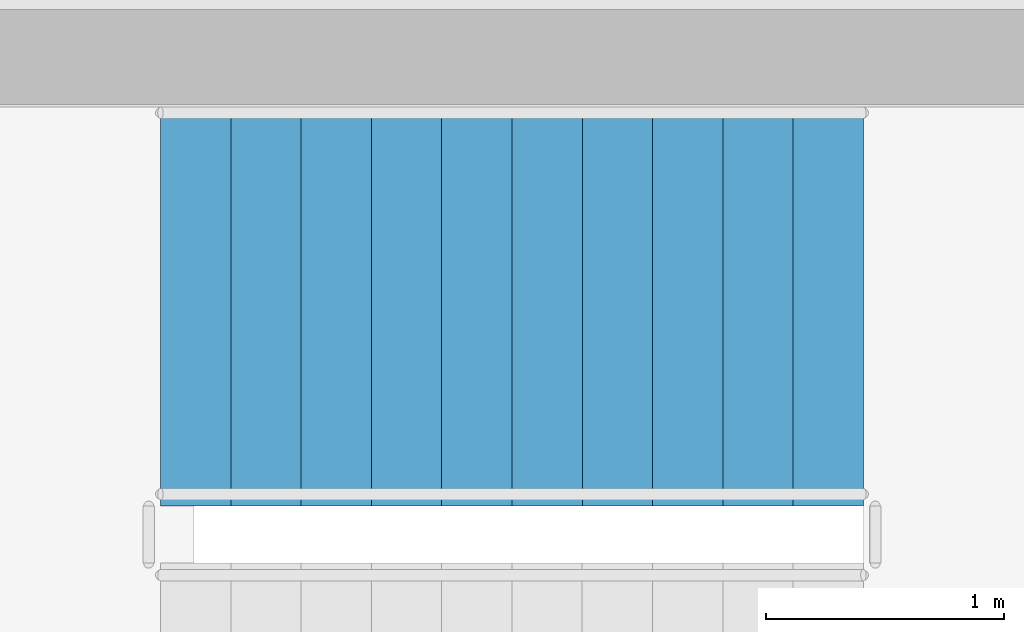
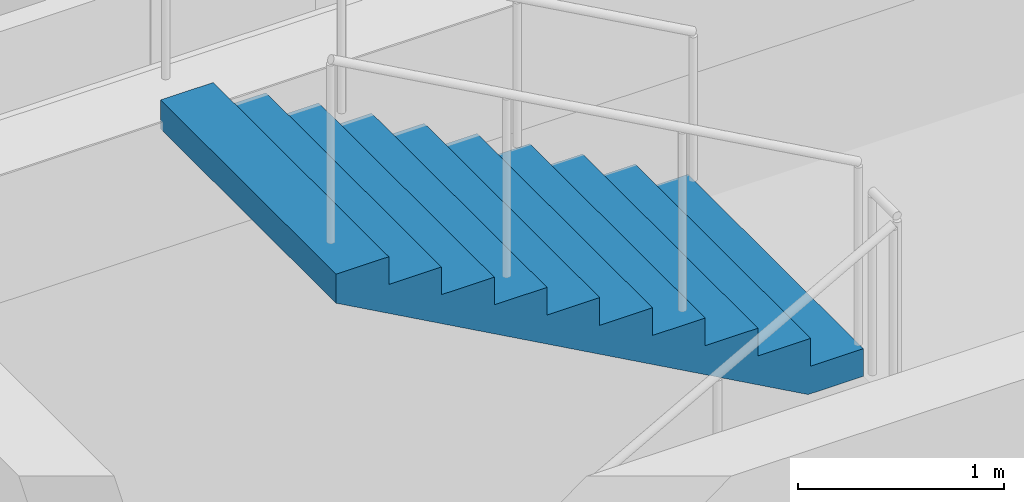
# One storey, part 9 of 11: 1 stair flight, 1 element without a shape of its own.
"""IFC4 building model written with IfcOpenShell, lengths in metres."""

from ifc_helpers import new_model, si_unit, direction, frame, origin, place, context, subcontext, project, spatial, polyline, outline, extrude, material, type_object, element, aggregate, save


model = new_model("IFC4")

# Units and contexts
model_context = context("Model", 3, precision=1e-05, world=origin(), true_north=direction((0.0, 1.0)))
body_context = subcontext(model_context, "Body", "Model", "MODEL_VIEW")
ifc_project = project(units=[si_unit("LENGTHUNIT", "METRE"), si_unit("AREAUNIT", "SQUARE_METRE"), si_unit("VOLUMEUNIT", "CUBIC_METRE"), si_unit("PLANEANGLEUNIT", "RADIAN"), si_unit("MASSUNIT", "GRAM", prefix="KILO")], contexts=[model_context])

# Site, building, storey
site_placement = place(None, origin())
site = spatial("IfcSite", under=ifc_project, at=site_placement, CompositionType="ELEMENT")
building_placement = place(site_placement, origin())
building = spatial("IfcBuilding", under=site, at=building_placement, Name="Zayran Congress Hotel", CompositionType="ELEMENT")
storey_placement = place(building_placement, frame((0.0, 0.0, 26.39990234375)))
storey = spatial("IfcBuildingStorey", under=building, at=storey_placement, Name="L06", CompositionType="ELEMENT", Elevation=26.39990234375)

# Stair, stair flight
ifc_material = material(Name="Concrete C32/40", Category="concrete")
stair_type = type_object("IfcStairType", Name="TP-STR-1700-36", PredefinedType="USERDEFINED", material=ifc_material)
stair_placement = place(storey_placement, origin())
stair = element("IfcStair", 1, at=stair_placement, inside=storey, type_object=stair_type, Name="L06 ST-02", ObjectType="TWO_RETURN_STAIR", PredefinedType="USERDEFINED")
stair_flight_type = type_object("IfcStairFlightType", Name="TP-STF-1700-36", PredefinedType="STRAIGHT", material=ifc_material)
stair_flight_placement = place(storey_placement, frame((54.85009765625, 24.550048828125, 1.800048828125), z_axis=(0.0, 0.0, 1.0), x_axis=(-1.0, 0.0, 0.0)))
stair_flight = element("IfcStairFlight", 2, at=stair_flight_placement, type_object=stair_flight_type, Name="ST-02 flight 2", NumberOfRisers=11, NumberOfTreads=10, PredefinedType="STRAIGHT", RiserHeight=0.1636363636363637, TreadLength=0.295, context=body_context, shape_type="SweptSolid", body=[
    extrude(outline(polyline([(0.0, 0.0), (0.0, 0.16357421875), (0.294921875, 0.16357421875), (0.294921875, 0.327392578125), (0.590087890625, 0.327392578125), (0.590087890625, 0.490966796875), (0.885009765625, 0.490966796875), (0.885009765625, 0.654541015625), (1.179931640625, 0.654541015625), (1.179931640625, 0.818115234375), (1.47509765625, 0.818115234375), (1.47509765625, 0.98193359375), (1.77001953125, 0.98193359375), (1.77001953125, 1.1455078125), (2.06494140625, 1.1455078125), (2.06494140625, 1.30908203125), (2.360107421875, 1.30908203125), (2.360107421875, 1.47265625), (2.655029296875, 1.47265625), (2.655029296875, 1.636474609375), (2.949951171875, 1.636474609375), (2.949951171875, 1.800048828125), (2.949951171875, 1.46484375), (0.30908203125, 0.0), (0.0, 0.0)])), frame((0.0, 0.85009765625, 0.0), z_axis=(0.0, -1.0, 0.0), x_axis=(1.0, 0.0, 0.0)), (0.0, 0.0, 1.0), 1.699951171875),
])
aggregate(stair, [stair_flight])

save(model, "model.ifc")
